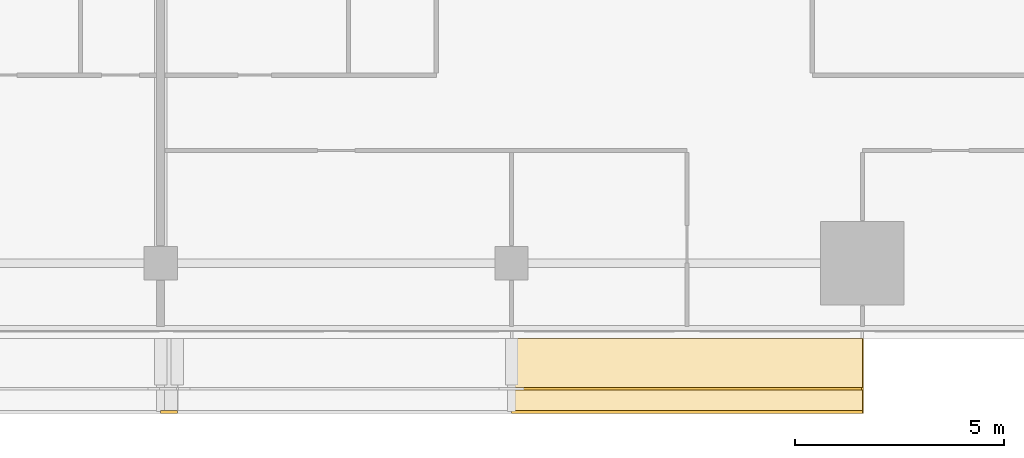
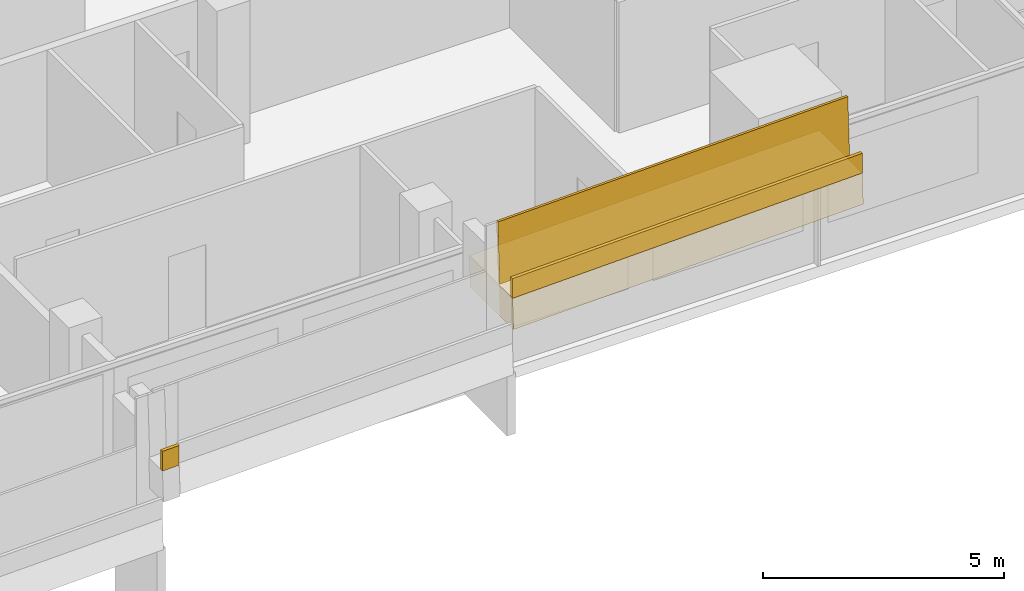
# One storey, part 27 of 27: 3 coverings, 1 railing.
"""IFC4 building model written with IfcOpenShell, lengths in metres."""

from ifc_helpers import new_model, si_unit, direction, frame, origin, origin_2d, place, context, subcontext, project, spatial, polyline, rectangle, outline, extrude, material, layer, layer_set, type_object, element, save


model = new_model("IFC4")

# Units and contexts
model_context = context("Model", 3, precision=1e-05, world=origin(), true_north=direction((0.0, 1.0)))
body_context = subcontext(model_context, "Body", "Model", "MODEL_VIEW")
ifc_project = project(units=[si_unit("LENGTHUNIT", "METRE"), si_unit("AREAUNIT", "SQUARE_METRE"), si_unit("VOLUMEUNIT", "CUBIC_METRE"), si_unit("PLANEANGLEUNIT", "RADIAN"), si_unit("MASSUNIT", "GRAM", prefix="KILO")], contexts=[model_context])

# Site, building, storey
site_placement = place(None, origin())
site = spatial("IfcSite", under=ifc_project, at=site_placement, CompositionType="ELEMENT")
building_placement = place(site_placement, origin())
building = spatial("IfcBuilding", under=site, at=building_placement, Name="Saffron Gate Tower", CompositionType="ELEMENT")
storey_placement = place(building_placement, frame((0.0, 0.0, 124.050048828125)))
storey = spatial("IfcBuildingStorey", under=building, at=storey_placement, Name="L29", CompositionType="ELEMENT", Elevation=124.050048828125)

# Coverings
ifc_material = material(Name="Timber, thermally modified ash", Category="wood")
ifc_layer_1 = layer(ifc_material, 0.800048828125)
ifc_layer_set_1 = layer_set([ifc_layer_1], Name="LD1 ledge timber")
covering_type_1 = type_object("IfcCoveringType", Name="LD1 ledge timber", PredefinedType="CLADDING", material=ifc_layer_set_1)
covering_1_placement = place(storey_placement, frame((108.60009765625, 30.0, 3.213134765625), z_axis=(-0.028820203882, 0.0, 0.99958461165), x_axis=(0.99958461165, 0.0, 0.028820203882)))
element("IfcCovering", 1, at=covering_1_placement, inside=storey, type_object=covering_type_1, Name="LEDGE", PredefinedType="CLADDING", context=body_context, shape_type="SweptSolid", body=[
    extrude(outline(polyline([(0.0, 0.0), (8.40339301530596, 0.0), (8.40339301530596, -1.800048828125), (0.0, -1.800048828125), (0.0, 0.0)])), origin(), (0.0, 0.0, -1.0), 0.800048828125),
])
ifc_layer_2 = layer(ifc_material, 0.080078125)
ifc_layer_set_2 = layer_set([ifc_layer_2], Name="LD2 ledge planter trough")
covering_type_2 = type_object("IfcCoveringType", Name="LD2 ledge planter trough", PredefinedType="CLADDING", material=ifc_layer_set_2)
covering_2_placement = place(storey_placement, frame((100.199951171875, 28.199951171875, 1.77099609375), z_axis=(0.0, -1.0, 0.0), x_axis=(0.999589096284, 0.0, 0.028664238881)))
element("IfcCovering", 2, at=covering_2_placement, inside=storey, type_object=covering_type_2, Name="LEDGE planter trough", PredefinedType="CLADDING", context=body_context, shape_type="SweptSolid", body=[
    extrude(outline(polyline([(0.0, 0.0), (0.40031097364171886, -1.734723475976807e-18), (0.4146430930820291, 0.4997945481418826), (0.014332119440310242, 0.4997945481418827), (0.0, 0.0)])), origin(), (0.0, 0.0, -1.0), 0.080078125),
])
covering_3_placement = place(storey_placement, frame((108.60009765625, 28.199951171875, 3.213134765625), z_axis=(0.0, -1.0, 0.0), x_axis=(0.99958461165, 0.0, 0.028820203882)))
element("IfcCovering", 3, at=covering_3_placement, inside=storey, type_object=covering_type_2, Name="LEDGE planter trough", PredefinedType="CLADDING", context=body_context, shape_type="SweptSolid", body=[
    extrude(outline(polyline([(0.0, 0.0), (8.40339301530596, 0.0), (8.41780311724686, 0.49979230582518264), (0.014410101940899296, 0.49979230582518264), (0.0, 0.0)])), origin(), (0.0, 0.0, -1.0), 0.080078125),
])

# Railing
railing_type = type_object("IfcRailingType", Name="LG1 ledge balustrade", PredefinedType="BALUSTRADE", material=ifc_material)
railing_placement = place(storey_placement, frame((108.60009765625, 28.800048828125, 3.213134765625)))
element("IfcRailing", 4, at=railing_placement, inside=storey, type_object=railing_type, Name="LEDGE BALUSTRADE", PredefinedType="BALUSTRADE", context=body_context, shape_type="SweptSolid", body=[
    extrude(rectangle(XDim=0.06005859375, YDim=1.60009765625, at=origin_2d()), frame((0.0, 0.0, 0.800048828125), z_axis=(0.99958461165, 0.0, 0.028820203882), x_axis=(0.0, 1.0, 0.0)), (0.0, 0.0, 1.0), 8.4033203125),
])

save(model, "model.ifc")
